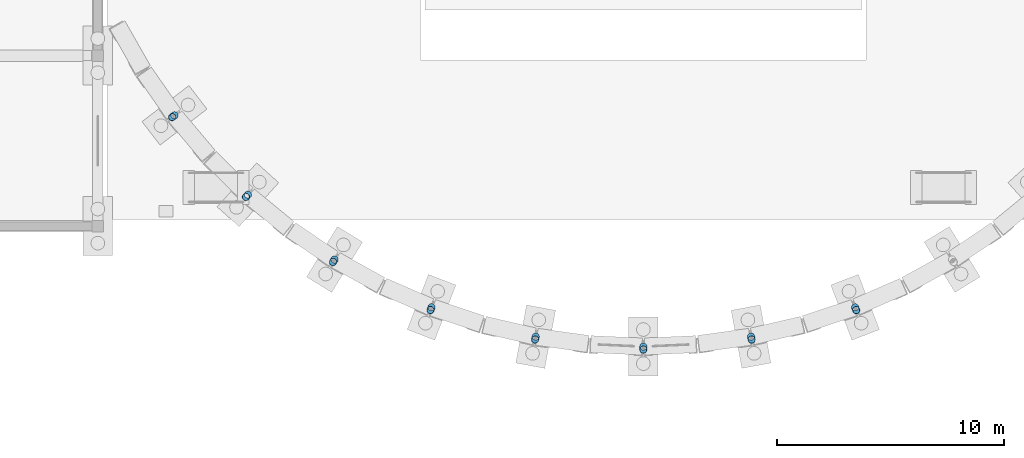
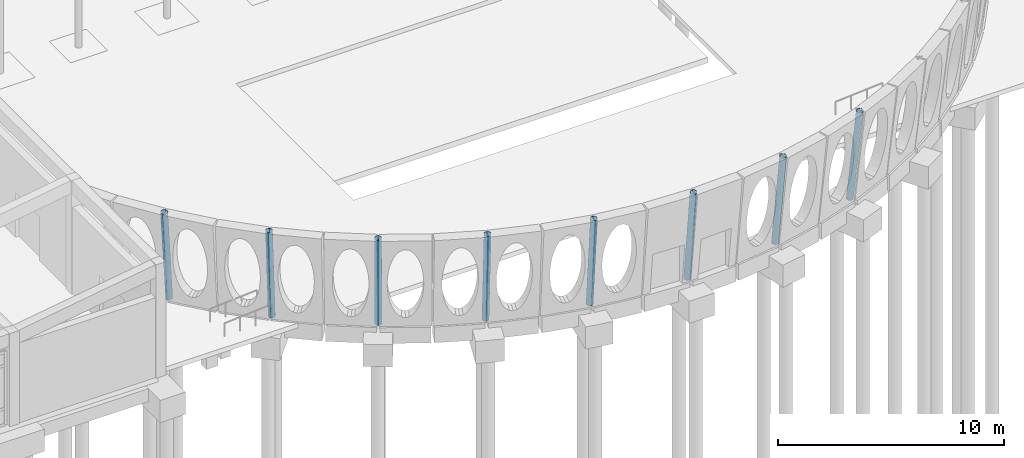
# One storey, part 11 of 173: 8 columns.
"""IFC4 building model written with IfcOpenShell, lengths in metres."""

from ifc_helpers import new_model, si_unit, direction, frame, origin, origin_2d, place, context, subcontext, project, spatial, hollow_circle, extrude, material, material_profile, profile_set, type_object, element, save


model = new_model("IFC4")

# Units and contexts
model_context = context("Model", 3, precision=1e-05, world=origin(), true_north=direction((0.0, 1.0)))
body_context = subcontext(model_context, "Body", "Model", "MODEL_VIEW")
ifc_project = project(units=[si_unit("LENGTHUNIT", "METRE"), si_unit("AREAUNIT", "SQUARE_METRE"), si_unit("VOLUMEUNIT", "CUBIC_METRE"), si_unit("PLANEANGLEUNIT", "RADIAN"), si_unit("MASSUNIT", "GRAM", prefix="KILO")], contexts=[model_context])

# Site, building, storey
site_placement = place(None, origin())
site = spatial("IfcSite", under=ifc_project, at=site_placement, CompositionType="ELEMENT")
building_placement = place(site_placement, origin())
building = spatial("IfcBuilding", under=site, at=building_placement, Name="Mawjan Specialist Oncology Clinic", CompositionType="ELEMENT")
storey_placement = place(building_placement, origin())
storey = spatial("IfcBuildingStorey", under=building, at=storey_placement, Name="L00", CompositionType="ELEMENT", Elevation=0.0)

# Columns
ifc_material = material(Name="Structural steel S355", Category="steel")
ifc_material_profile = material_profile(ifc_material, hollow_circle(Radius=0.161865234375, WallThickness=0.011962890625, at=origin_2d()), Name="CHS 323.9x12", Category="steel")
ifc_profile_set = profile_set([ifc_material_profile], Name="Structural steel S355")
column_type = type_object("IfcColumnType", Name="SC-CHS324", PredefinedType="COLUMN", material=ifc_profile_set)
for number, where, z_axis, x_axis, name in (
    (1, (63.372802734375, 13.172119140625, 0.0), (-0.089800106478, -0.068890411236, 0.993574381773), (0.608674483401, -0.793420048434, 0.0), "Stone-Arc Restraint Pier 1 L00"),
    (2, (66.6025390625, 9.67822265625, 0.0), (-0.075730859915, -0.084123837984, 0.993573357503), (0.743208891911, -0.669059446525, 0.0), "Stone-Arc Restraint Pier 2 L00"),
    (3, (70.4150390625, 6.831298828125, 0.0), (-0.059139058161, -0.096495149041, 0.99357498862), (0.852613573845, -0.522541954005, 0.0), "Stone-Arc Restraint Pier 3 L00"),
    (4, (74.682373046875, 4.726806640625, 0.0), (-0.040558017758, -0.105664309423, 0.993574406328), (0.93358843832, -0.358347077335, 0.0), "Stone-Arc Restraint Pier 4 L00"),
    (5, (79.261962890625, 3.435302734375, 0.0), (-0.020667091485, -0.111291802506, 0.993572848876), (0.983190934349, -0.182580356597, 0.0), "Stone-Arc Restraint Pier 5 L00"),
    (6, (84.0, 3.0, 0.0), (0.0, -0.113183996438, 0.993574045027), (1.0, 0.0, 0.0), "Stone-Arc Restraint Pier 6 L00"),
    (7, (88.738037109375, 3.435302734375, 0.0), (0.020667091485, -0.111291802506, 0.993572848876), (0.983190934349, 0.182580356597, 0.0), "Stone-Arc Restraint Pier 7 L00"),
    (8, (93.317626953125, 4.726806640625, 0.0), (0.040558017758, -0.105664309423, 0.993574406328), (0.93358843832, 0.358347077335, 0.0), "Stone-Arc Restraint Pier 8 L00"),
):
    element("IfcColumn", number, at=place(storey_placement, frame(where, z_axis=z_axis, x_axis=x_axis)), inside=storey, type_object=column_type, Name=name, PredefinedType="COLUMN", context=body_context, shape_type="SweptSolid", body=[
        extrude(hollow_circle(Radius=0.161865234375, WallThickness=0.011962890625, at=origin_2d()), origin(), (0.0, 0.0, 1.0), 5.0322265625),
    ])

save(model, "model.ifc")
